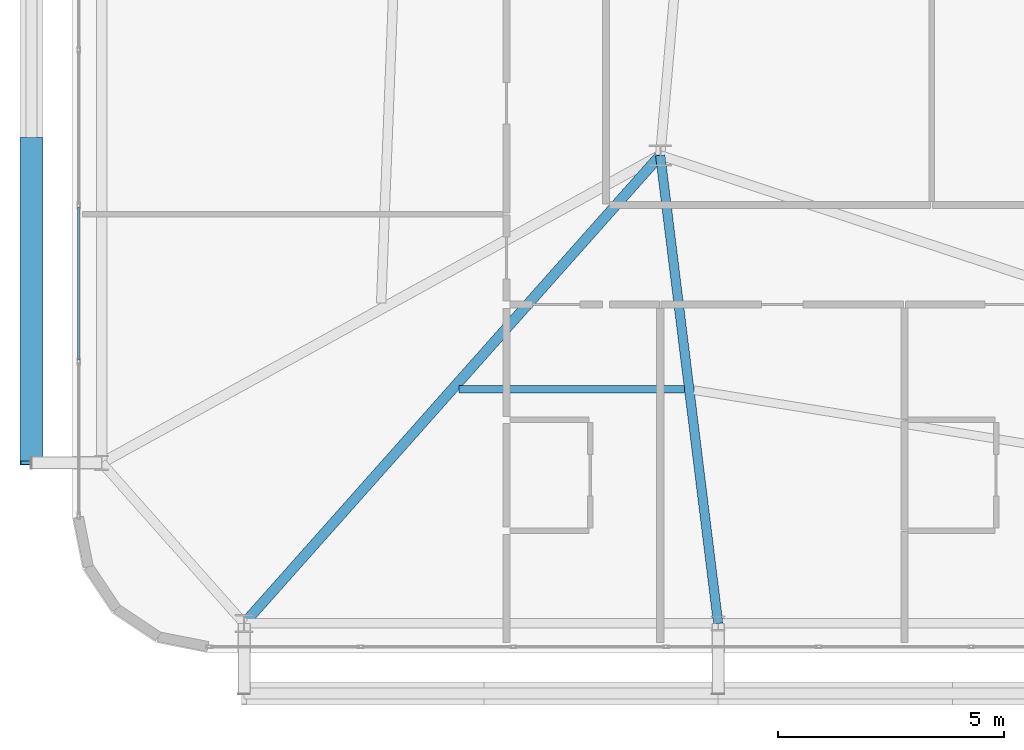
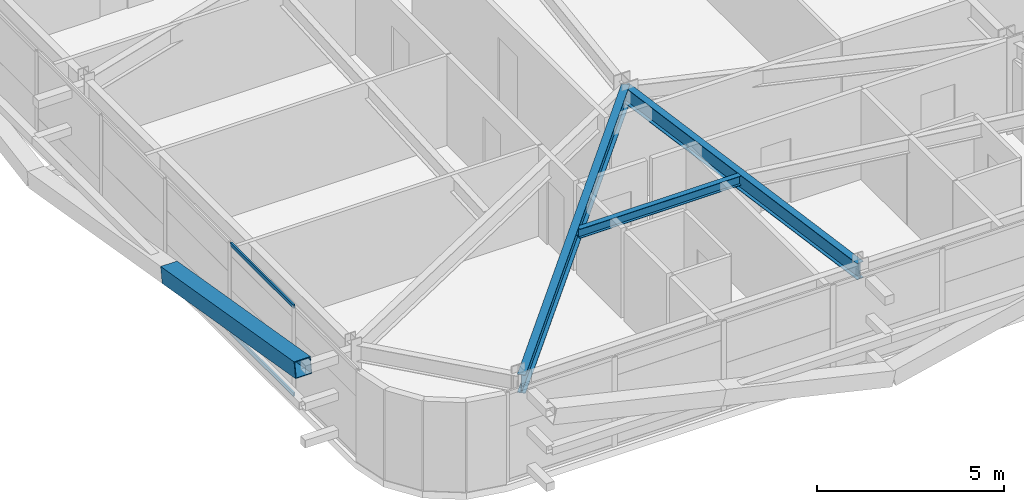
# One storey, part 7 of 58: 3 beams, 3 members, 1 element without a shape of its own.
"""IFC4 building model written with IfcOpenShell, lengths in metres."""

from ifc_helpers import new_model, si_unit, direction, frame, origin, origin_2d, place, context, subcontext, project, spatial, hollow_rectangle, i_section, extrude, source, transform, mapped, material, layer, layer_set, material_profile, profile_set, type_object, element, aggregate, save


model = new_model("IFC4")

# Units and contexts
model_context = context("Model", 3, precision=1e-05, world=origin(), true_north=direction((0.0, 1.0)))
body_context = subcontext(model_context, "Body", "Model", "MODEL_VIEW")
ifc_project = project(units=[si_unit("LENGTHUNIT", "METRE"), si_unit("AREAUNIT", "SQUARE_METRE"), si_unit("VOLUMEUNIT", "CUBIC_METRE"), si_unit("PLANEANGLEUNIT", "RADIAN"), si_unit("MASSUNIT", "GRAM", prefix="KILO")], contexts=[model_context])

# Site, building, storey
site_placement = place(None, origin())
site = spatial("IfcSite", under=ifc_project, at=site_placement, CompositionType="ELEMENT")
building_placement = place(site_placement, origin())
building = spatial("IfcBuilding", under=site, at=building_placement, Name="Taldren Reach Tower", CompositionType="ELEMENT")
storey_placement = place(building_placement, frame((0.0, 0.0, 32.550048828125)))
storey = spatial("IfcBuildingStorey", under=building, at=storey_placement, Name="L09", CompositionType="ELEMENT", Elevation=32.550048828125)

# Beams
ifc_material_1 = material(Name="Steel Gr 350 (350PLUS)", Category="steel")
ifc_material_profile_1 = material_profile(ifc_material_1, i_section(OverallWidth=0.22802734375, OverallDepth=0.60205078125, WebThickness=0.010498046875, FlangeThickness=0.014892578125, at=origin_2d()), Name="610UB101")
ifc_profile_set_1 = profile_set([ifc_material_profile_1], Name="Steel Gr 350 (350PLUS)")
beam_type_1 = type_object("IfcBeamType", Name="BM-UB610B", PredefinedType="BEAM", material=ifc_profile_set_1)
shared_shape_1 = source(origin(), body_context, "Body", "SweptSolid", [
    extrude(i_section(OverallWidth=0.22802734375, OverallDepth=0.60205078125, WebThickness=0.010498046875, FlangeThickness=0.014892578125, at=origin_2d()), origin(), (0.0, 0.0, 1.0), 13.847900390625),
])
beam_1_placement = place(storey_placement, frame((18.0, 12.5, 2.62890625), z_axis=(-0.664358367375, -0.747414182164, 0.0), x_axis=(0.747414182164, -0.664358367375, 0.0)))
element("IfcBeam", 1, at=beam_1_placement, inside=storey, type_object=beam_type_1, Name="Primary floor girder B1-S1 L09", PredefinedType="BEAM", context=body_context, shape_type="MappedRepresentation", body=[
    mapped(shared_shape_1, transform((0.0, 0.0, 0.0), scale=1.0)),
])
ifc_material_profile_2 = material_profile(ifc_material_1, i_section(OverallWidth=0.208984375, OverallDepth=0.532958984375, WebThickness=0.01025390625, FlangeThickness=0.015625, at=origin_2d()), Name="530UB92.4")
ifc_profile_set_2 = profile_set([ifc_material_profile_2], Name="Steel Gr 350 (350PLUS)")
beam_type_2 = type_object("IfcBeamType", Name="BM-UB530A", PredefinedType="BEAM", material=ifc_profile_set_2)
shared_shape_2 = source(origin(), body_context, "Body", "SweptSolid", [
    extrude(i_section(OverallWidth=0.208984375, OverallDepth=0.532958984375, WebThickness=0.01025390625, FlangeThickness=0.015625, at=origin_2d()), origin(), (0.0, 0.0, 1.0), 10.428955078125),
])
beam_2_placement = place(storey_placement, frame((18.0, 12.5, 2.663330078125), z_axis=(0.122738080664, -0.992439098159, 0.0), x_axis=(0.992439098159, 0.122738080664, 0.0)))
element("IfcBeam", 2, at=beam_2_placement, inside=storey, type_object=beam_type_2, Name="Primary floor girder B1-S2 L09", PredefinedType="BEAM", context=body_context, shape_type="MappedRepresentation", body=[
    mapped(shared_shape_2, transform((0.0, 0.0, 0.0), scale=1.0)),
])
ifc_material_2 = material(Name="Steel Gr 300 (300PLUS, 300 MPa)", Category="steel")
ifc_material_profile_3 = material_profile(ifc_material_2, i_section(OverallWidth=0.166015625, OverallDepth=0.306884765625, WebThickness=0.006591796875, FlangeThickness=0.01171875, at=origin_2d()), Name="310UB46.2")
ifc_profile_set_3 = profile_set([ifc_material_profile_3], Name="Steel Gr 300 (300PLUS, 300 MPa)")
beam_type_3 = type_object("IfcBeamType", Name="JS-UB310", PredefinedType="JOIST", material=ifc_profile_set_3)
shared_shape_3 = source(origin(), body_context, "Body", "SweptSolid", [
    extrude(i_section(OverallWidth=0.166015625, OverallDepth=0.306884765625, WebThickness=0.006591796875, FlangeThickness=0.01171875, at=origin_2d()), origin(), (0.0, 0.0, 1.0), 4.982177734375),
])
beam_3_placement = place(storey_placement, frame((13.552490234375, 7.324951171875, 2.7763671875), z_axis=(1.0, 0.0, 0.0), x_axis=(0.0, 1.0, 0.0)))
element("IfcBeam", 3, at=beam_3_placement, inside=storey, type_object=beam_type_3, Name="Secondary floor joist B1 J1 L09", PredefinedType="JOIST", context=body_context, shape_type="MappedRepresentation", body=[
    mapped(shared_shape_3, transform((0.0, 0.0, 0.0), scale=1.0)),
])

# Member
ifc_material_3 = material(Name="Steel Gr 450 (C450L0)", Category="steel")
ifc_material_profile_4 = material_profile(ifc_material_3, hollow_rectangle(XDim=0.510009765625, YDim=0.510009765625, WallThickness=0.02001953125, at=origin_2d()), Name="510x510x20.0SHS")
ifc_profile_set_4 = profile_set([ifc_material_profile_4], Name="Steel Gr 450 (C450L0)")
member_type_1 = type_object("IfcMemberType", Name="MB-EXO508", PredefinedType="BRACE", material=ifc_profile_set_4)
shared_shape_4 = source(origin(), body_context, "Body", "SweptSolid", [
    extrude(hollow_rectangle(XDim=0.510009765625, YDim=0.510009765625, WallThickness=0.02001953125, at=origin_2d()), origin(), (0.0, 0.0, 1.0), 7.252685546875),
])
member_1_placement = place(storey_placement, frame((4.10009765625, 12.85009765625, 1.43505859375), z_axis=(0.0, -0.985871360071, 0.167504213054), x_axis=(1.0, 0.0, 0.0)))
element("IfcMember", 4, at=member_1_placement, inside=storey, type_object=member_type_1, Name="Exoskeleton Diagrid Brace B1-W1 L09", PredefinedType="BRACE", context=body_context, shape_type="MappedRepresentation", body=[
    mapped(shared_shape_4, transform((0.0, 0.0, 0.0), scale=1.0)),
])

# Curtain wall, members
ifc_material_4 = material(Name="Aluminium and Low-E Glass Unitised System", Category="aluminium")
ifc_layer = layer(ifc_material_4, 0.159912109375)
ifc_layer_set = layer_set([ifc_layer], Name="Aluminium and Low-E Glass Unitised System")
curtain_wall_type = type_object("IfcCurtainWallType", Name="CW-SYS-2", PredefinedType="NOTDEFINED", material=ifc_layer_set)
curtain_wall_placement = place(storey_placement, origin())
curtain_wall = element("IfcCurtainWall", 5, at=curtain_wall_placement, inside=storey, type_object=curtain_wall_type, Name="Unitised curtain wall CW-L09-W", PredefinedType="NOTDEFINED")
ifc_material_5 = material(Name="Anodised Aluminium 6063-T6", Category="aluminium")
ifc_material_profile_5 = material_profile(ifc_material_5, hollow_rectangle(XDim=0.054931640625, YDim=0.1201171875, WallThickness=0.0029296875, at=origin_2d()), Name="ALU-120x55x3RHS")
ifc_profile_set_5 = profile_set([ifc_material_profile_5], Name="Anodised Aluminium 6063-T6")
member_type_2 = type_object("IfcMemberType", Name="CW-TRN-135", PredefinedType="USERDEFINED", material=ifc_profile_set_5)
shared_shape_5 = source(origin(), body_context, "Body", "SweptSolid", [
    extrude(hollow_rectangle(XDim=0.054931640625, YDim=0.1201171875, WallThickness=0.0029296875, at=origin_2d()), origin(), (0.0, 0.0, 1.0), 3.37939453125),
])
member_2_placement = place(storey_placement, frame((5.139892578125, 11.3564453125, 0.02734375), z_axis=(0.0, -1.0, 0.0), x_axis=(1.0, 0.0, 0.0)))
member_2 = element("IfcMember", 6, at=member_2_placement, type_object=member_type_2, Name="CW-2 transom 8.1", ObjectType="TRANSOM", PredefinedType="USERDEFINED", context=body_context, shape_type="MappedRepresentation", body=[
    mapped(shared_shape_5, transform((0.0, 0.0, 0.0), scale=1.0)),
])
member_3_placement = place(storey_placement, frame((5.139892578125, 11.3564453125, 2.90234375), z_axis=(0.0, -1.0, 0.0), x_axis=(1.0, 0.0, 0.0)))
member_3 = element("IfcMember", 7, at=member_3_placement, type_object=member_type_2, Name="CW-2 transom 8.2", ObjectType="TRANSOM", PredefinedType="USERDEFINED", context=body_context, shape_type="MappedRepresentation", body=[
    mapped(shared_shape_5, transform((0.0, 0.0, 0.0), scale=1.0)),
])
aggregate(curtain_wall, [member_2, member_3])

save(model, "model.ifc")
